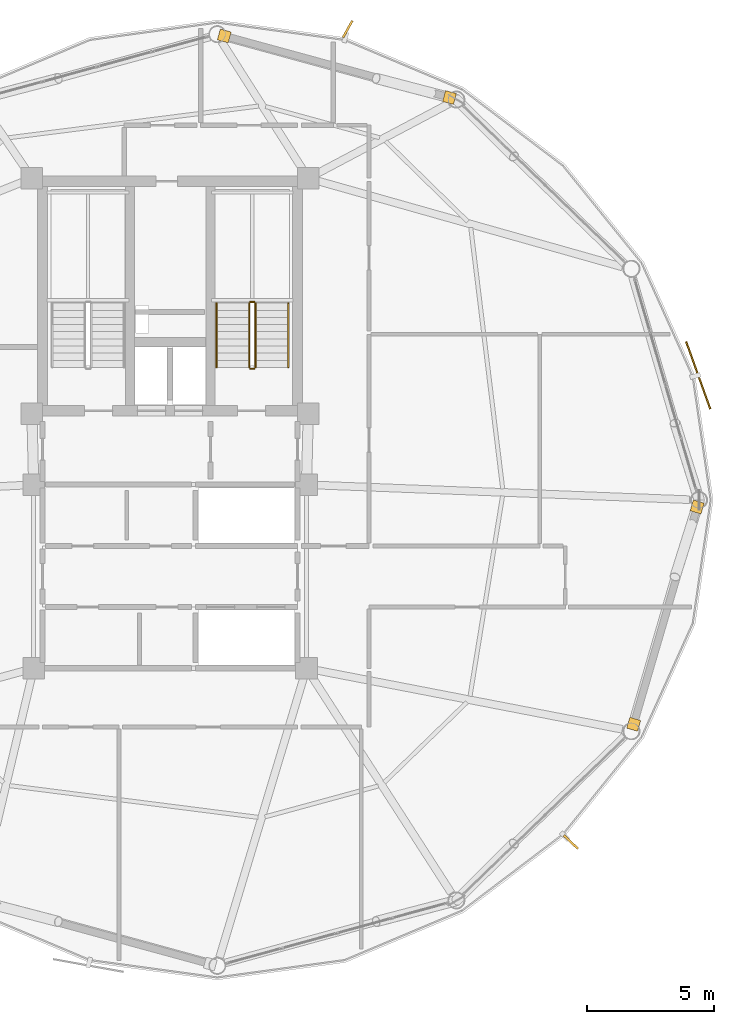
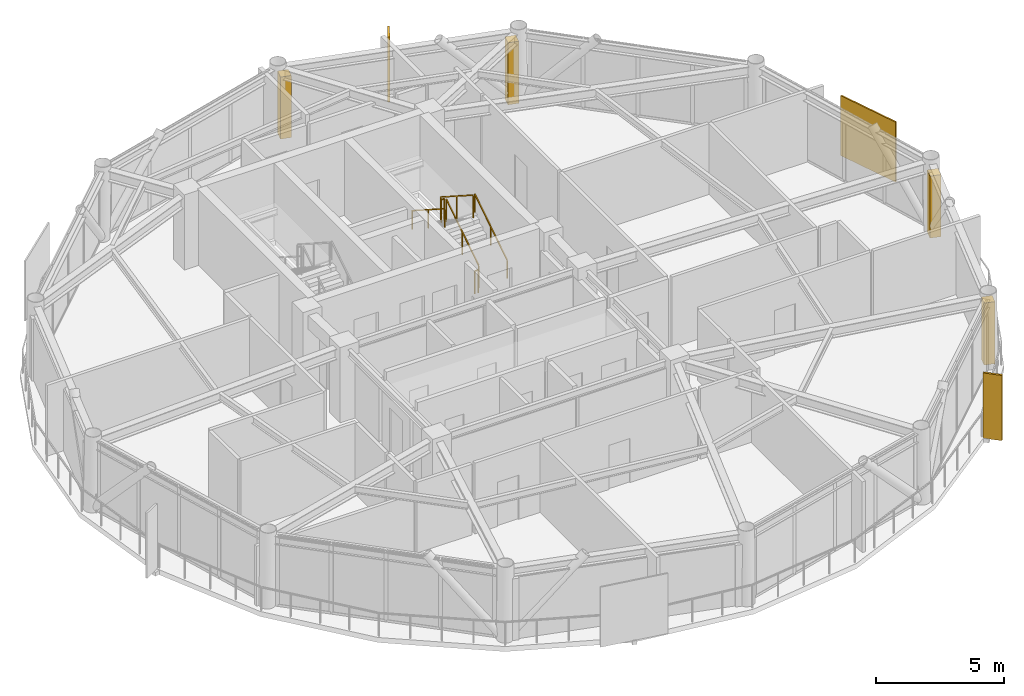
# One storey, part 28 of 28: 6 railings, 4 coverings, 3 shading devices.
"""IFC4 building model written with IfcOpenShell, lengths in metres."""

from ifc_helpers import new_model, si_unit, direction, frame, origin, origin_2d, place, context, subcontext, project, spatial, rectangle, extrude, source, transform, mapped, material, layer, layer_set, type_object, type_shapes, element, save


model = new_model("IFC4")

# Units and contexts
model_context = context("Model", 3, precision=1e-05, world=origin(), true_north=direction((0.0, 1.0)))
body_context = subcontext(model_context, "Body", "Model", "MODEL_VIEW")
ifc_project = project(units=[si_unit("LENGTHUNIT", "METRE"), si_unit("AREAUNIT", "SQUARE_METRE"), si_unit("VOLUMEUNIT", "CUBIC_METRE"), si_unit("PLANEANGLEUNIT", "RADIAN"), si_unit("MASSUNIT", "GRAM", prefix="KILO")], contexts=[model_context])

# Site, building, storey
site_placement = place(None, origin())
site = spatial("IfcSite", under=ifc_project, at=site_placement, CompositionType="ELEMENT")
building_placement = place(site_placement, origin())
building = spatial("IfcBuilding", under=site, at=building_placement, Name="Varnakorn Sky Granary", CompositionType="ELEMENT")
storey_placement = place(building_placement, frame((0.0, 0.0, 225.60009765625)))
storey = spatial("IfcBuildingStorey", under=building, at=storey_placement, Name="L57", CompositionType="ELEMENT", Elevation=225.60009765625)

# Railings
ifc_material_1 = material(Name="Brushed Stainless Steel 316", Category="steel")
railing_type_1 = type_object("IfcRailingType", Name="RL-STAIR-1100", PredefinedType="GUARDRAIL", material=ifc_material_1)
railing_1_placement = place(storey_placement, frame((6.35009765625, 5.199951171875, 0.179931640625)))
element("IfcRailing", 1, at=railing_1_placement, inside=storey, type_object=railing_type_1, Name="L57 ST-2 stair guard 1", PredefinedType="GUARDRAIL", context=body_context, shape_type="SweptSolid", body=[
    extrude(rectangle(XDim=0.048095703125, YDim=0.048095703125, at=origin_2d()), frame((0.0, 0.0, 1.076171875), z_axis=(0.0, 0.841199657755, 0.540724639528), x_axis=(-1.0, 0.0, 0.0)), (0.0, 0.0, 1.0), 2.995849609375),
    extrude(rectangle(XDim=0.0419921875, YDim=0.0419921875, at=origin_2d()), origin(), (0.0, 0.0, 1.0), 1.048095703125),
    extrude(rectangle(XDim=0.0419921875, YDim=0.0419921875, at=origin_2d()), frame((0.0, 1.260009765625, 0.81005859375)), (0.0, 0.0, 1.0), 1.048095703125),
    extrude(rectangle(XDim=0.0419921875, YDim=0.0419921875, at=origin_2d()), frame((0.0, 2.52001953125, 1.619873046875)), (0.0, 0.0, 1.0), 1.048095703125),
])
railing_2_placement = place(storey_placement, frame((6.300048828125, 7.77001953125, 1.7998046875)))
element("IfcRailing", 2, at=railing_2_placement, inside=storey, type_object=railing_type_1, Name="L57 ST-2 stair guard 2", PredefinedType="GUARDRAIL", context=body_context, shape_type="SweptSolid", body=[
    extrude(rectangle(XDim=0.048095703125, YDim=0.048095703125, at=origin_2d()), frame((0.0, 0.0, 1.076171875), z_axis=(-1.0, 0.0, 0.0), x_axis=(0.0, -1.0, 0.0)), (0.0, 0.0, 1.0), 0.150146484375),
    extrude(rectangle(XDim=0.0419921875, YDim=0.0419921875, at=origin_2d()), origin(), (0.0, 0.0, 1.0), 1.048095703125),
    extrude(rectangle(XDim=0.0419921875, YDim=0.0419921875, at=origin_2d()), frame((-0.150146484375, 0.0, 0.0)), (0.0, 0.0, 1.0), 1.048095703125),
])
railing_3_placement = place(storey_placement, frame((6.10009765625, 7.719970703125, 1.97998046875)))
element("IfcRailing", 3, at=railing_3_placement, inside=storey, type_object=railing_type_1, Name="L57 ST-2 stair guard 3", PredefinedType="GUARDRAIL", context=body_context, shape_type="SweptSolid", body=[
    extrude(rectangle(XDim=0.048095703125, YDim=0.048095703125, at=origin_2d()), frame((0.0, 0.0, 1.076171875), z_axis=(0.0, -0.841199657755, 0.540724639528), x_axis=(1.0, 0.0, 0.0)), (0.0, 0.0, 1.0), 2.995849609375),
    extrude(rectangle(XDim=0.0419921875, YDim=0.0419921875, at=origin_2d()), origin(), (0.0, 0.0, 1.0), 1.048095703125),
    extrude(rectangle(XDim=0.0419921875, YDim=0.0419921875, at=origin_2d()), frame((0.0, -1.260009765625, 0.81005859375)), (0.0, 0.0, 1.0), 1.048095703125),
    extrude(rectangle(XDim=0.0419921875, YDim=0.0419921875, at=origin_2d()), frame((0.0, -2.52001953125, 1.619873046875)), (0.0, 0.0, 1.0), 1.048095703125),
])
railing_4_placement = place(storey_placement, frame((6.300048828125, 5.14990234375, 0.0)))
element("IfcRailing", 4, at=railing_4_placement, inside=storey, type_object=railing_type_1, Name="L57 ST-2 stair guard 4", PredefinedType="GUARDRAIL", context=body_context, shape_type="SweptSolid", body=[
    extrude(rectangle(XDim=0.048095703125, YDim=0.048095703125, at=origin_2d()), frame((0.0, 0.0, 1.076171875), z_axis=(-1.0, 0.0, 0.0), x_axis=(0.0, -1.0, 0.0)), (0.0, 0.0, 1.0), 0.150146484375),
    extrude(rectangle(XDim=0.0419921875, YDim=0.0419921875, at=origin_2d()), origin(), (0.0, 0.0, 1.0), 1.048095703125),
    extrude(rectangle(XDim=0.0419921875, YDim=0.0419921875, at=origin_2d()), frame((-0.150146484375, 0.0, 0.0)), (0.0, 0.0, 1.0), 1.048095703125),
])
railing_type_2 = type_object("IfcRailingType", Name="RL-STAIR-920", PredefinedType="HANDRAIL", material=ifc_material_1)
railing_5_placement = place(storey_placement, frame((7.6298828125, 5.199951171875, 0.179931640625)))
element("IfcRailing", 5, at=railing_5_placement, inside=storey, type_object=railing_type_2, Name="L57 ST-2 stair handrail 1", PredefinedType="HANDRAIL", context=body_context, shape_type="SweptSolid", body=[
    extrude(rectangle(XDim=0.048095703125, YDim=0.048095703125, at=origin_2d()), frame((0.0, 0.0, 0.8759765625), z_axis=(0.0, 0.841199657755, 0.540724639528), x_axis=(-1.0, 0.0, 0.0)), (0.0, 0.0, 1.0), 2.995849609375),
    extrude(rectangle(XDim=0.0419921875, YDim=0.0419921875, at=origin_2d()), origin(), (0.0, 0.0, 1.0), 0.847900390625),
    extrude(rectangle(XDim=0.0419921875, YDim=0.0419921875, at=origin_2d()), frame((0.0, 1.260009765625, 0.81005859375)), (0.0, 0.0, 1.0), 0.847900390625),
    extrude(rectangle(XDim=0.0419921875, YDim=0.0419921875, at=origin_2d()), frame((0.0, 2.52001953125, 1.619873046875)), (0.0, 0.0, 1.0), 0.847900390625),
])
railing_6_placement = place(storey_placement, frame((4.820068359375, 7.719970703125, 1.97998046875)))
element("IfcRailing", 6, at=railing_6_placement, inside=storey, type_object=railing_type_2, Name="L57 ST-2 stair handrail 2", PredefinedType="HANDRAIL", context=body_context, shape_type="SweptSolid", body=[
    extrude(rectangle(XDim=0.048095703125, YDim=0.048095703125, at=origin_2d()), frame((0.0, 0.0, 0.8759765625), z_axis=(0.0, -0.841199657755, 0.540724639528), x_axis=(1.0, 0.0, 0.0)), (0.0, 0.0, 1.0), 2.995849609375),
    extrude(rectangle(XDim=0.0419921875, YDim=0.0419921875, at=origin_2d()), origin(), (0.0, 0.0, 1.0), 0.847900390625),
    extrude(rectangle(XDim=0.0419921875, YDim=0.0419921875, at=origin_2d()), frame((0.0, -1.260009765625, 0.81005859375)), (0.0, 0.0, 1.0), 0.847900390625),
    extrude(rectangle(XDim=0.0419921875, YDim=0.0419921875, at=origin_2d()), frame((0.0, -2.52001953125, 1.619873046875)), (0.0, 0.0, 1.0), 0.847900390625),
])

# Coverings
ifc_material_2 = material(Name="Anodised Bronze Aluminium Alloy 6063-T6", Category="aluminium")
ifc_layer = layer(ifc_material_2, 0.050048828125, Name="Anodised Bronze Aluminium Alloy 6063-T6")
ifc_layer_set = layer_set([ifc_layer], Name="Anodised Bronze Aluminium Alloy 6063-T6")
covering_type = type_object("IfcCoveringType", Name="CV-CLAD-50", PredefinedType="CLADDING", material=ifc_layer_set)
shared_shape_1 = source(origin(), body_context, "Body", "SweptSolid", [
    extrude(rectangle(XDim=0.43994140625, YDim=0.43994140625, at=origin_2d()), origin(), (0.0, 0.0, 1.0), 2.949951171875),
])
type_shapes(covering_type, [shared_shape_1])
for number, where, z_axis, x_axis, name in (
    (7, (5.125, 18.20068359375, -0.02001953125), (0.0, 0.0, 1.0), (0.964603458302, -0.263704698919, 0.0), "Bronze Corner Pilaster Closure L57-P03-A"),
    (8, (13.95849609375, 15.785888671875, -0.02001953125), (0.0, 0.0, 1.0), (0.964603458302, -0.263704698919, 0.0), "Bronze Corner Pilaster Closure L57-P03-B"),
    (9, (23.672119140625, -0.273681640625, -0.02001953125), (0.0, 0.0, 1.0), (-0.280331656578, -0.959903204662, 0.0), "Bronze Corner Pilaster Closure L57-P12-A"),
    (10, (21.1826171875, -8.796875, -0.02001953125), (0.0, 0.0, 1.0), (-0.280331656578, -0.959903204662, 0.0), "Bronze Corner Pilaster Closure L57-P12-B"),
):
    element("IfcCovering", number, at=place(storey_placement, frame(where, z_axis=z_axis, x_axis=x_axis)), inside=storey, type_object=covering_type, Name=name, PredefinedType="CLADDING", context=body_context, shape_type="MappedRepresentation", body=[
        mapped(shared_shape_1, transform((0.0, 0.0, 0.0), x_axis=(1.0, 0.0, 0.0), y_axis=(0.0, 1.0, 0.0), z_axis=(0.0, 0.0, 1.0), scale=1.0)),
    ])

# Shading devices
shading_device_type_1 = type_object("IfcShadingDeviceType", Name="SH-FIN-03", PredefinedType="USERDEFINED", material=ifc_material_2)
shared_shape_2 = source(origin(), body_context, "Body", "SweptSolid", [
    extrude(rectangle(XDim=0.0849609375, YDim=0.760009765625, at=origin_2d()), origin(), (0.0, 0.0, 1.0), 3.10009765625),
])
type_shapes(shading_device_type_1, [shared_shape_2])
for number, where, z_axis, x_axis, name in (
    (11, (9.964599609375, 18.468505859375, -0.0400390625), (0.0, 0.0, 1.0), (-0.872922520403, 0.487858866244, 0.0), "Bronze Solar-Tracking Vertical Blade FIN L57-03"),
    (12, (18.72314453125, -13.419677734375, -0.0400390625), (0.0, 0.0, 1.0), (0.688567206484, 0.725172532681, 0.0), "Bronze Solar-Tracking Vertical Blade FIN L57-11"),
):
    element("IfcShadingDevice", number, at=place(storey_placement, frame(where, z_axis=z_axis, x_axis=x_axis)), inside=storey, type_object=shading_device_type_1, Name=name, ObjectType="FIN", PredefinedType="USERDEFINED", context=body_context, shape_type="MappedRepresentation", body=[
        mapped(shared_shape_2, transform((0.0, 0.0, 0.0), x_axis=(1.0, 0.0, 0.0), y_axis=(0.0, 1.0, 0.0), z_axis=(0.0, 0.0, 1.0), scale=1.0)),
    ])
shading_device_type_2 = type_object("IfcShadingDeviceType", Name="SH-SCR-03", PredefinedType="USERDEFINED", material=ifc_material_2)
shared_shape_3 = source(origin(), body_context, "Body", "SweptSolid", [
    extrude(rectangle(XDim=2.800048828125, YDim=0.06494140625, at=origin_2d()), origin(), (0.0, 0.0, 1.0), 2.85009765625),
])
type_shapes(shading_device_type_2, [shared_shape_3])
shading_device_placement = place(storey_placement, frame((23.712158203125, 4.889892578125, -0.0400390625), z_axis=(0.0, 0.0, 1.0), x_axis=(-0.338475625842, 0.940975159455, 0.0)))
element("IfcShadingDevice", 13, at=shading_device_placement, inside=storey, type_object=shading_device_type_2, Name="Perforated Bronze Solar Screen Panel SCREEN L57-01", ObjectType="SCREEN", PredefinedType="USERDEFINED", context=body_context, shape_type="MappedRepresentation", body=[
    mapped(shared_shape_3, transform((0.0, 0.0, 0.0), x_axis=(1.0, 0.0, 0.0), y_axis=(0.0, 1.0, 0.0), z_axis=(0.0, 0.0, 1.0), scale=1.0)),
])

save(model, "model.ifc")
